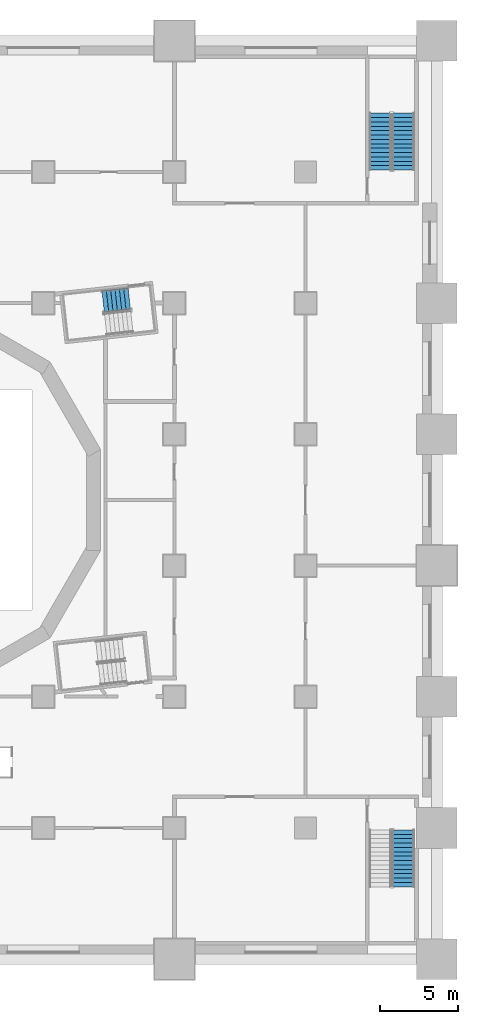
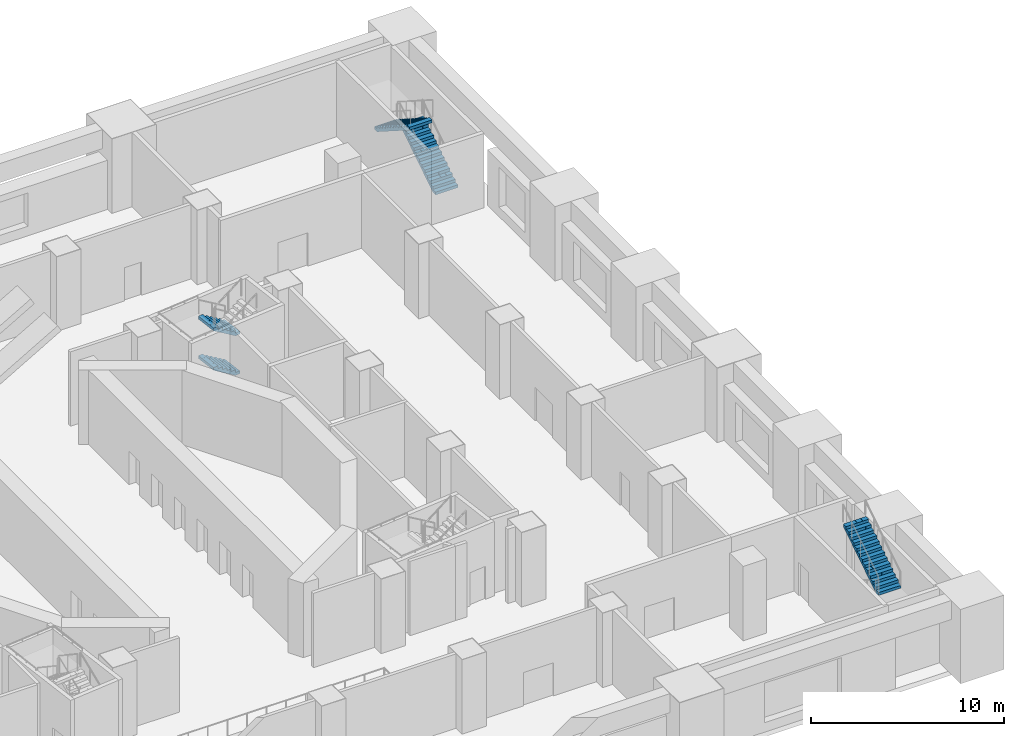
# One storey, part 8 of 19: 5 stair flights, 3 elements without a shape of their own.
"""IFC4 building model written with IfcOpenShell, lengths in metres."""

from ifc_helpers import new_model, si_unit, direction, frame, origin, place, context, subcontext, project, spatial, polyline, outline, extrude, material, type_object, element, aggregate, save


model = new_model("IFC4")

# Units and contexts
model_context = context("Model", 3, precision=1e-05, world=origin(), true_north=direction((0.0, 1.0)))
body_context = subcontext(model_context, "Body", "Model", "MODEL_VIEW")
ifc_project = project(units=[si_unit("LENGTHUNIT", "METRE"), si_unit("AREAUNIT", "SQUARE_METRE"), si_unit("VOLUMEUNIT", "CUBIC_METRE"), si_unit("PLANEANGLEUNIT", "RADIAN"), si_unit("MASSUNIT", "GRAM", prefix="KILO")], contexts=[model_context])

# Site, building, storey
site_placement = place(None, origin())
site = spatial("IfcSite", under=ifc_project, at=site_placement, CompositionType="ELEMENT")
building_placement = place(site_placement, origin())
building = spatial("IfcBuilding", under=site, at=building_placement, Name="Cantera Rosa Tower", CompositionType="ELEMENT")
storey_placement = place(building_placement, frame((0.0, 0.0, 12.0)))
storey = spatial("IfcBuildingStorey", under=building, at=storey_placement, Name="L01", CompositionType="ELEMENT", Elevation=12.0)

# Stair, stair flights
ifc_material_1 = material(Name="Concrete C35/45", Category="concrete")
stair_type_1 = type_object("IfcStairType", Name="EXIT STAIR 1350 DOGLEG", PredefinedType="HALF_TURN_STAIR", material=ifc_material_1)
stair_1_placement = place(storey_placement, origin())
stair_1 = element("IfcStair", 1, at=stair_1_placement, inside=storey, type_object=stair_type_1, Name="L01 ST-11", PredefinedType="HALF_TURN_STAIR")
ifc_material_2 = material(Name="Concrete C35/45", Category="concrete")
stair_flight_type_1 = type_object("IfcStairFlightType", Name="STAIR FLIGHT 1350 R28x179", PredefinedType="STRAIGHT", material=ifc_material_2)
stair_flight_1_placement = place(storey_placement, frame((13.90869140625, 12.89990234375, 0.0), z_axis=(0.0, 0.0, 1.0), x_axis=(-0.993896947056, -0.110312549749, 0.0)))
stair_flight_1 = element("IfcStairFlight", 2, at=stair_flight_1_placement, type_object=stair_flight_type_1, Name="ST-11 flight 1", NumberOfRisers=7, NumberOfTreads=6, PredefinedType="STRAIGHT", RiserHeight=0.178571429, TreadLength=0.28, context=body_context, shape_type="SweptSolid", body=[
    extrude(outline(polyline([(0.0, 0.0), (0.0, 0.178466796875), (0.280029296875, 0.178466796875), (0.280029296875, 0.357177734375), (0.56005859375, 0.357177734375), (0.56005859375, 0.53564453125), (0.840087890625, 0.53564453125), (0.840087890625, 0.71435546875), (1.1201171875, 0.71435546875), (1.1201171875, 0.892822265625), (1.39990234375, 0.892822265625), (1.39990234375, 1.071533203125), (1.679931640625, 1.071533203125), (1.679931640625, 1.25), (1.679931640625, 0.8935546875), (0.27880859375, 0.0), (0.0, 0.0)])), frame((0.0, 0.675048828125, 0.0), z_axis=(0.0, -1.0, 0.0), x_axis=(1.0, 0.0, 0.0)), (0.0, 0.0, 1.0), 0.3359375),
    extrude(outline(polyline([(0.0, 0.0), (0.0, 0.178466796875), (0.280029296875, 0.178466796875), (0.280029296875, 0.357177734375), (0.56005859375, 0.357177734375), (0.56005859375, 0.53564453125), (0.840087890625, 0.53564453125), (0.840087890625, 0.71435546875), (1.1201171875, 0.71435546875), (1.1201171875, 0.892822265625), (1.39990234375, 0.892822265625), (1.39990234375, 1.071533203125), (1.679931640625, 1.071533203125), (1.679931640625, 1.25), (1.679931640625, 0.8935546875), (0.27880859375, 0.0), (0.0, 0.0)])), frame((0.0, 0.337158203125, 0.0), z_axis=(0.0, -1.0, 0.0), x_axis=(1.0, 0.0, 0.0)), (0.0, 0.0, 1.0), 0.3359375),
    extrude(outline(polyline([(0.0, 0.0), (0.0, 0.178466796875), (0.280029296875, 0.178466796875), (0.280029296875, 0.357177734375), (0.56005859375, 0.357177734375), (0.56005859375, 0.53564453125), (0.840087890625, 0.53564453125), (0.840087890625, 0.71435546875), (1.1201171875, 0.71435546875), (1.1201171875, 0.892822265625), (1.39990234375, 0.892822265625), (1.39990234375, 1.071533203125), (1.679931640625, 1.071533203125), (1.679931640625, 1.25), (1.679931640625, 0.8935546875), (0.27880859375, 0.0), (0.0, 0.0)])), frame((0.0, -0.000732421875, 0.0), z_axis=(0.0, -1.0, 0.0), x_axis=(1.0, 0.0, 0.0)), (0.0, 0.0, 1.0), 0.3359375),
    extrude(outline(polyline([(0.0, 0.0), (0.0, 0.178466796875), (0.280029296875, 0.178466796875), (0.280029296875, 0.357177734375), (0.56005859375, 0.357177734375), (0.56005859375, 0.53564453125), (0.840087890625, 0.53564453125), (0.840087890625, 0.71435546875), (1.1201171875, 0.71435546875), (1.1201171875, 0.892822265625), (1.39990234375, 0.892822265625), (1.39990234375, 1.071533203125), (1.679931640625, 1.071533203125), (1.679931640625, 1.25), (1.679931640625, 0.8935546875), (0.27880859375, 0.0), (0.0, 0.0)])), frame((0.0, -0.338623046875, 0.0), z_axis=(0.0, -1.0, 0.0), x_axis=(1.0, 0.0, 0.0)), (0.0, 0.0, 1.0), 0.3359375),
])
stair_flight_2_placement = place(storey_placement, frame((13.90869140625, 12.89990234375, 2.5), z_axis=(0.0, 0.0, 1.0), x_axis=(-0.993896947056, -0.110312549749, 0.0)))
stair_flight_2 = element("IfcStairFlight", 3, at=stair_flight_2_placement, type_object=stair_flight_type_1, Name="ST-11 flight 3", NumberOfRisers=7, NumberOfTreads=6, PredefinedType="STRAIGHT", RiserHeight=0.178571429, TreadLength=0.28, context=body_context, shape_type="SweptSolid", body=[
    extrude(outline(polyline([(0.0, 0.0), (0.0, 0.178466796875), (0.280029296875, 0.178466796875), (0.280029296875, 0.357177734375), (0.56005859375, 0.357177734375), (0.56005859375, 0.53564453125), (0.840087890625, 0.53564453125), (0.840087890625, 0.71435546875), (1.1201171875, 0.71435546875), (1.1201171875, 0.892822265625), (1.39990234375, 0.892822265625), (1.39990234375, 1.071533203125), (1.679931640625, 1.071533203125), (1.679931640625, 1.25), (1.679931640625, 0.8935546875), (0.27880859375, 0.0), (0.0, 0.0)])), frame((0.0, 0.675048828125, 0.0), z_axis=(0.0, -1.0, 0.0), x_axis=(1.0, 0.0, 0.0)), (0.0, 0.0, 1.0), 0.3359375),
    extrude(outline(polyline([(0.0, 0.0), (0.0, 0.178466796875), (0.280029296875, 0.178466796875), (0.280029296875, 0.357177734375), (0.56005859375, 0.357177734375), (0.56005859375, 0.53564453125), (0.840087890625, 0.53564453125), (0.840087890625, 0.71435546875), (1.1201171875, 0.71435546875), (1.1201171875, 0.892822265625), (1.39990234375, 0.892822265625), (1.39990234375, 1.071533203125), (1.679931640625, 1.071533203125), (1.679931640625, 1.25), (1.679931640625, 0.8935546875), (0.27880859375, 0.0), (0.0, 0.0)])), frame((0.0, 0.337158203125, 0.0), z_axis=(0.0, -1.0, 0.0), x_axis=(1.0, 0.0, 0.0)), (0.0, 0.0, 1.0), 0.3359375),
    extrude(outline(polyline([(0.0, 0.0), (0.0, 0.178466796875), (0.280029296875, 0.178466796875), (0.280029296875, 0.357177734375), (0.56005859375, 0.357177734375), (0.56005859375, 0.53564453125), (0.840087890625, 0.53564453125), (0.840087890625, 0.71435546875), (1.1201171875, 0.71435546875), (1.1201171875, 0.892822265625), (1.39990234375, 0.892822265625), (1.39990234375, 1.071533203125), (1.679931640625, 1.071533203125), (1.679931640625, 1.25), (1.679931640625, 0.8935546875), (0.27880859375, 0.0), (0.0, 0.0)])), frame((0.0, -0.000732421875, 0.0), z_axis=(0.0, -1.0, 0.0), x_axis=(1.0, 0.0, 0.0)), (0.0, 0.0, 1.0), 0.3359375),
    extrude(outline(polyline([(0.0, 0.0), (0.0, 0.178466796875), (0.280029296875, 0.178466796875), (0.280029296875, 0.357177734375), (0.56005859375, 0.357177734375), (0.56005859375, 0.53564453125), (0.840087890625, 0.53564453125), (0.840087890625, 0.71435546875), (1.1201171875, 0.71435546875), (1.1201171875, 0.892822265625), (1.39990234375, 0.892822265625), (1.39990234375, 1.071533203125), (1.679931640625, 1.071533203125), (1.679931640625, 1.25), (1.679931640625, 0.8935546875), (0.27880859375, 0.0), (0.0, 0.0)])), frame((0.0, -0.338623046875, 0.0), z_axis=(0.0, -1.0, 0.0), x_axis=(1.0, 0.0, 0.0)), (0.0, 0.0, 1.0), 0.3359375),
])
aggregate(stair_1, [stair_flight_1, stair_flight_2])

ifc_material_3 = material(Name="Concrete C35/45", Category="concrete")
stair_type_2 = type_object("IfcStairType", Name="Stair half-turn 1350", PredefinedType="HALF_TURN_STAIR", material=ifc_material_3)
stair_2_placement = place(storey_placement, origin())
stair_2 = element("IfcStair", 4, at=stair_2_placement, inside=storey, type_object=stair_type_2, Name="L01 ST-NE", PredefinedType="HALF_TURN_STAIR")
ifc_material_4 = material(Name="Concrete C35/45", Category="concrete")
stair_flight_type_2 = type_object("IfcStairFlightType", Name="Stair flight 1350", PredefinedType="STRAIGHT", material=ifc_material_4)
stair_flight_3_placement = place(storey_placement, frame((31.5, 21.125, 0.0), z_axis=(0.0, 0.0, 1.0), x_axis=(0.0, 1.0, 0.0)))
stair_flight_3 = element("IfcStairFlight", 5, at=stair_flight_3_placement, type_object=stair_flight_type_2, Name="ST-NE flight 1", NumberOfRisers=14, NumberOfTreads=13, PredefinedType="STRAIGHT", RiserHeight=0.178571429, TreadLength=0.28, context=body_context, shape_type="SweptSolid", body=[
    extrude(outline(polyline([(0.0, 0.0), (0.0, 0.178466796875), (0.280029296875, 0.178466796875), (0.280029296875, 0.357177734375), (0.56005859375, 0.357177734375), (0.56005859375, 0.53564453125), (0.840087890625, 0.53564453125), (0.840087890625, 0.71435546875), (1.1201171875, 0.71435546875), (1.1201171875, 0.892822265625), (1.39990234375, 0.892822265625), (1.39990234375, 1.071533203125), (1.679931640625, 1.071533203125), (1.679931640625, 1.25), (1.9599609375, 1.25), (1.9599609375, 1.428466796875), (2.239990234375, 1.428466796875), (2.239990234375, 1.607177734375), (2.52001953125, 1.607177734375), (2.52001953125, 1.78564453125), (2.800048828125, 1.78564453125), (2.800048828125, 1.96435546875), (3.080078125, 1.96435546875), (3.080078125, 2.142822265625), (3.360107421875, 2.142822265625), (3.360107421875, 2.321533203125), (3.639892578125, 2.321533203125), (3.639892578125, 2.5), (3.639892578125, 2.1435546875), (0.27880859375, 0.0), (0.0, 0.0)])), frame((0.0, 0.675048828125, 0.0), z_axis=(0.0, -1.0, 0.0), x_axis=(1.0, 0.0, 0.0)), (0.0, 0.0, 1.0), 0.3359375),
    extrude(outline(polyline([(0.0, 0.0), (0.0, 0.178466796875), (0.280029296875, 0.178466796875), (0.280029296875, 0.357177734375), (0.56005859375, 0.357177734375), (0.56005859375, 0.53564453125), (0.840087890625, 0.53564453125), (0.840087890625, 0.71435546875), (1.1201171875, 0.71435546875), (1.1201171875, 0.892822265625), (1.39990234375, 0.892822265625), (1.39990234375, 1.071533203125), (1.679931640625, 1.071533203125), (1.679931640625, 1.25), (1.9599609375, 1.25), (1.9599609375, 1.428466796875), (2.239990234375, 1.428466796875), (2.239990234375, 1.607177734375), (2.52001953125, 1.607177734375), (2.52001953125, 1.78564453125), (2.800048828125, 1.78564453125), (2.800048828125, 1.96435546875), (3.080078125, 1.96435546875), (3.080078125, 2.142822265625), (3.360107421875, 2.142822265625), (3.360107421875, 2.321533203125), (3.639892578125, 2.321533203125), (3.639892578125, 2.5), (3.639892578125, 2.1435546875), (0.27880859375, 0.0), (0.0, 0.0)])), frame((0.0, 0.337158203125, 0.0), z_axis=(0.0, -1.0, 0.0), x_axis=(1.0, 0.0, 0.0)), (0.0, 0.0, 1.0), 0.3359375),
    extrude(outline(polyline([(0.0, 0.0), (0.0, 0.178466796875), (0.280029296875, 0.178466796875), (0.280029296875, 0.357177734375), (0.56005859375, 0.357177734375), (0.56005859375, 0.53564453125), (0.840087890625, 0.53564453125), (0.840087890625, 0.71435546875), (1.1201171875, 0.71435546875), (1.1201171875, 0.892822265625), (1.39990234375, 0.892822265625), (1.39990234375, 1.071533203125), (1.679931640625, 1.071533203125), (1.679931640625, 1.25), (1.9599609375, 1.25), (1.9599609375, 1.428466796875), (2.239990234375, 1.428466796875), (2.239990234375, 1.607177734375), (2.52001953125, 1.607177734375), (2.52001953125, 1.78564453125), (2.800048828125, 1.78564453125), (2.800048828125, 1.96435546875), (3.080078125, 1.96435546875), (3.080078125, 2.142822265625), (3.360107421875, 2.142822265625), (3.360107421875, 2.321533203125), (3.639892578125, 2.321533203125), (3.639892578125, 2.5), (3.639892578125, 2.1435546875), (0.27880859375, 0.0), (0.0, 0.0)])), frame((0.0, -0.000732421875, 0.0), z_axis=(0.0, -1.0, 0.0), x_axis=(1.0, 0.0, 0.0)), (0.0, 0.0, 1.0), 0.3359375),
    extrude(outline(polyline([(0.0, 0.0), (0.0, 0.178466796875), (0.280029296875, 0.178466796875), (0.280029296875, 0.357177734375), (0.56005859375, 0.357177734375), (0.56005859375, 0.53564453125), (0.840087890625, 0.53564453125), (0.840087890625, 0.71435546875), (1.1201171875, 0.71435546875), (1.1201171875, 0.892822265625), (1.39990234375, 0.892822265625), (1.39990234375, 1.071533203125), (1.679931640625, 1.071533203125), (1.679931640625, 1.25), (1.9599609375, 1.25), (1.9599609375, 1.428466796875), (2.239990234375, 1.428466796875), (2.239990234375, 1.607177734375), (2.52001953125, 1.607177734375), (2.52001953125, 1.78564453125), (2.800048828125, 1.78564453125), (2.800048828125, 1.96435546875), (3.080078125, 1.96435546875), (3.080078125, 2.142822265625), (3.360107421875, 2.142822265625), (3.360107421875, 2.321533203125), (3.639892578125, 2.321533203125), (3.639892578125, 2.5), (3.639892578125, 2.1435546875), (0.27880859375, 0.0), (0.0, 0.0)])), frame((0.0, -0.338623046875, 0.0), z_axis=(0.0, -1.0, 0.0), x_axis=(1.0, 0.0, 0.0)), (0.0, 0.0, 1.0), 0.3359375),
])
stair_flight_4_placement = place(storey_placement, frame((29.949951171875, 24.764892578125, 2.5), z_axis=(0.0, 0.0, 1.0), x_axis=(0.0, -1.0, 0.0)))
stair_flight_4 = element("IfcStairFlight", 6, at=stair_flight_4_placement, type_object=stair_flight_type_2, Name="ST-NE flight 2", NumberOfRisers=14, NumberOfTreads=13, PredefinedType="STRAIGHT", RiserHeight=0.178571429, TreadLength=0.28, context=body_context, shape_type="SweptSolid", body=[
    extrude(outline(polyline([(0.0, 0.0), (0.0, 0.178466796875), (0.280029296875, 0.178466796875), (0.280029296875, 0.357177734375), (0.56005859375, 0.357177734375), (0.56005859375, 0.53564453125), (0.840087890625, 0.53564453125), (0.840087890625, 0.71435546875), (1.1201171875, 0.71435546875), (1.1201171875, 0.892822265625), (1.39990234375, 0.892822265625), (1.39990234375, 1.071533203125), (1.679931640625, 1.071533203125), (1.679931640625, 1.25), (1.9599609375, 1.25), (1.9599609375, 1.428466796875), (2.239990234375, 1.428466796875), (2.239990234375, 1.607177734375), (2.52001953125, 1.607177734375), (2.52001953125, 1.78564453125), (2.800048828125, 1.78564453125), (2.800048828125, 1.96435546875), (3.080078125, 1.96435546875), (3.080078125, 2.142822265625), (3.360107421875, 2.142822265625), (3.360107421875, 2.321533203125), (3.639892578125, 2.321533203125), (3.639892578125, 2.5), (3.639892578125, 2.1435546875), (0.27880859375, 0.0), (0.0, 0.0)])), frame((0.0, 0.675048828125, 0.0), z_axis=(0.0, -1.0, 0.0), x_axis=(1.0, 0.0, 0.0)), (0.0, 0.0, 1.0), 0.3359375),
    extrude(outline(polyline([(0.0, 0.0), (0.0, 0.178466796875), (0.280029296875, 0.178466796875), (0.280029296875, 0.357177734375), (0.56005859375, 0.357177734375), (0.56005859375, 0.53564453125), (0.840087890625, 0.53564453125), (0.840087890625, 0.71435546875), (1.1201171875, 0.71435546875), (1.1201171875, 0.892822265625), (1.39990234375, 0.892822265625), (1.39990234375, 1.071533203125), (1.679931640625, 1.071533203125), (1.679931640625, 1.25), (1.9599609375, 1.25), (1.9599609375, 1.428466796875), (2.239990234375, 1.428466796875), (2.239990234375, 1.607177734375), (2.52001953125, 1.607177734375), (2.52001953125, 1.78564453125), (2.800048828125, 1.78564453125), (2.800048828125, 1.96435546875), (3.080078125, 1.96435546875), (3.080078125, 2.142822265625), (3.360107421875, 2.142822265625), (3.360107421875, 2.321533203125), (3.639892578125, 2.321533203125), (3.639892578125, 2.5), (3.639892578125, 2.1435546875), (0.27880859375, 0.0), (0.0, 0.0)])), frame((0.0, 0.337158203125, 0.0), z_axis=(0.0, -1.0, 0.0), x_axis=(1.0, 0.0, 0.0)), (0.0, 0.0, 1.0), 0.3359375),
    extrude(outline(polyline([(0.0, 0.0), (0.0, 0.178466796875), (0.280029296875, 0.178466796875), (0.280029296875, 0.357177734375), (0.56005859375, 0.357177734375), (0.56005859375, 0.53564453125), (0.840087890625, 0.53564453125), (0.840087890625, 0.71435546875), (1.1201171875, 0.71435546875), (1.1201171875, 0.892822265625), (1.39990234375, 0.892822265625), (1.39990234375, 1.071533203125), (1.679931640625, 1.071533203125), (1.679931640625, 1.25), (1.9599609375, 1.25), (1.9599609375, 1.428466796875), (2.239990234375, 1.428466796875), (2.239990234375, 1.607177734375), (2.52001953125, 1.607177734375), (2.52001953125, 1.78564453125), (2.800048828125, 1.78564453125), (2.800048828125, 1.96435546875), (3.080078125, 1.96435546875), (3.080078125, 2.142822265625), (3.360107421875, 2.142822265625), (3.360107421875, 2.321533203125), (3.639892578125, 2.321533203125), (3.639892578125, 2.5), (3.639892578125, 2.1435546875), (0.27880859375, 0.0), (0.0, 0.0)])), frame((0.0, -0.000732421875, 0.0), z_axis=(0.0, -1.0, 0.0), x_axis=(1.0, 0.0, 0.0)), (0.0, 0.0, 1.0), 0.3359375),
    extrude(outline(polyline([(0.0, 0.0), (0.0, 0.178466796875), (0.280029296875, 0.178466796875), (0.280029296875, 0.357177734375), (0.56005859375, 0.357177734375), (0.56005859375, 0.53564453125), (0.840087890625, 0.53564453125), (0.840087890625, 0.71435546875), (1.1201171875, 0.71435546875), (1.1201171875, 0.892822265625), (1.39990234375, 0.892822265625), (1.39990234375, 1.071533203125), (1.679931640625, 1.071533203125), (1.679931640625, 1.25), (1.9599609375, 1.25), (1.9599609375, 1.428466796875), (2.239990234375, 1.428466796875), (2.239990234375, 1.607177734375), (2.52001953125, 1.607177734375), (2.52001953125, 1.78564453125), (2.800048828125, 1.78564453125), (2.800048828125, 1.96435546875), (3.080078125, 1.96435546875), (3.080078125, 2.142822265625), (3.360107421875, 2.142822265625), (3.360107421875, 2.321533203125), (3.639892578125, 2.321533203125), (3.639892578125, 2.5), (3.639892578125, 2.1435546875), (0.27880859375, 0.0), (0.0, 0.0)])), frame((0.0, -0.338623046875, 0.0), z_axis=(0.0, -1.0, 0.0), x_axis=(1.0, 0.0, 0.0)), (0.0, 0.0, 1.0), 0.3359375),
])
aggregate(stair_2, [stair_flight_3, stair_flight_4])

# Stair, stair flight
stair_3_placement = place(storey_placement, origin())
stair_3 = element("IfcStair", 7, at=stair_3_placement, inside=storey, type_object=stair_type_2, Name="L01 ST-SE", PredefinedType="HALF_TURN_STAIR")
stair_flight_5_placement = place(storey_placement, frame((31.5, -24.764892578125, 2.5), z_axis=(0.0, 0.0, 1.0), x_axis=(0.0, 1.0, 0.0)))
stair_flight_5 = element("IfcStairFlight", 8, at=stair_flight_5_placement, type_object=stair_flight_type_2, Name="ST-SE flight 2", NumberOfRisers=14, NumberOfTreads=13, PredefinedType="STRAIGHT", RiserHeight=0.178571429, TreadLength=0.28, context=body_context, shape_type="SweptSolid", body=[
    extrude(outline(polyline([(0.0, 0.0), (0.0, 0.178466796875), (0.280029296875, 0.178466796875), (0.280029296875, 0.357177734375), (0.56005859375, 0.357177734375), (0.56005859375, 0.53564453125), (0.840087890625, 0.53564453125), (0.840087890625, 0.71435546875), (1.1201171875, 0.71435546875), (1.1201171875, 0.892822265625), (1.39990234375, 0.892822265625), (1.39990234375, 1.071533203125), (1.679931640625, 1.071533203125), (1.679931640625, 1.25), (1.9599609375, 1.25), (1.9599609375, 1.428466796875), (2.239990234375, 1.428466796875), (2.239990234375, 1.607177734375), (2.52001953125, 1.607177734375), (2.52001953125, 1.78564453125), (2.800048828125, 1.78564453125), (2.800048828125, 1.96435546875), (3.080078125, 1.96435546875), (3.080078125, 2.142822265625), (3.360107421875, 2.142822265625), (3.360107421875, 2.321533203125), (3.639892578125, 2.321533203125), (3.639892578125, 2.5), (3.639892578125, 2.1435546875), (0.27880859375, 0.0), (0.0, 0.0)])), frame((0.0, 0.675048828125, 0.0), z_axis=(0.0, -1.0, 0.0), x_axis=(1.0, 0.0, 0.0)), (0.0, 0.0, 1.0), 0.3359375),
    extrude(outline(polyline([(0.0, 0.0), (0.0, 0.178466796875), (0.280029296875, 0.178466796875), (0.280029296875, 0.357177734375), (0.56005859375, 0.357177734375), (0.56005859375, 0.53564453125), (0.840087890625, 0.53564453125), (0.840087890625, 0.71435546875), (1.1201171875, 0.71435546875), (1.1201171875, 0.892822265625), (1.39990234375, 0.892822265625), (1.39990234375, 1.071533203125), (1.679931640625, 1.071533203125), (1.679931640625, 1.25), (1.9599609375, 1.25), (1.9599609375, 1.428466796875), (2.239990234375, 1.428466796875), (2.239990234375, 1.607177734375), (2.52001953125, 1.607177734375), (2.52001953125, 1.78564453125), (2.800048828125, 1.78564453125), (2.800048828125, 1.96435546875), (3.080078125, 1.96435546875), (3.080078125, 2.142822265625), (3.360107421875, 2.142822265625), (3.360107421875, 2.321533203125), (3.639892578125, 2.321533203125), (3.639892578125, 2.5), (3.639892578125, 2.1435546875), (0.27880859375, 0.0), (0.0, 0.0)])), frame((0.0, 0.337158203125, 0.0), z_axis=(0.0, -1.0, 0.0), x_axis=(1.0, 0.0, 0.0)), (0.0, 0.0, 1.0), 0.3359375),
    extrude(outline(polyline([(0.0, 0.0), (0.0, 0.178466796875), (0.280029296875, 0.178466796875), (0.280029296875, 0.357177734375), (0.56005859375, 0.357177734375), (0.56005859375, 0.53564453125), (0.840087890625, 0.53564453125), (0.840087890625, 0.71435546875), (1.1201171875, 0.71435546875), (1.1201171875, 0.892822265625), (1.39990234375, 0.892822265625), (1.39990234375, 1.071533203125), (1.679931640625, 1.071533203125), (1.679931640625, 1.25), (1.9599609375, 1.25), (1.9599609375, 1.428466796875), (2.239990234375, 1.428466796875), (2.239990234375, 1.607177734375), (2.52001953125, 1.607177734375), (2.52001953125, 1.78564453125), (2.800048828125, 1.78564453125), (2.800048828125, 1.96435546875), (3.080078125, 1.96435546875), (3.080078125, 2.142822265625), (3.360107421875, 2.142822265625), (3.360107421875, 2.321533203125), (3.639892578125, 2.321533203125), (3.639892578125, 2.5), (3.639892578125, 2.1435546875), (0.27880859375, 0.0), (0.0, 0.0)])), frame((0.0, -0.000732421875, 0.0), z_axis=(0.0, -1.0, 0.0), x_axis=(1.0, 0.0, 0.0)), (0.0, 0.0, 1.0), 0.3359375),
    extrude(outline(polyline([(0.0, 0.0), (0.0, 0.178466796875), (0.280029296875, 0.178466796875), (0.280029296875, 0.357177734375), (0.56005859375, 0.357177734375), (0.56005859375, 0.53564453125), (0.840087890625, 0.53564453125), (0.840087890625, 0.71435546875), (1.1201171875, 0.71435546875), (1.1201171875, 0.892822265625), (1.39990234375, 0.892822265625), (1.39990234375, 1.071533203125), (1.679931640625, 1.071533203125), (1.679931640625, 1.25), (1.9599609375, 1.25), (1.9599609375, 1.428466796875), (2.239990234375, 1.428466796875), (2.239990234375, 1.607177734375), (2.52001953125, 1.607177734375), (2.52001953125, 1.78564453125), (2.800048828125, 1.78564453125), (2.800048828125, 1.96435546875), (3.080078125, 1.96435546875), (3.080078125, 2.142822265625), (3.360107421875, 2.142822265625), (3.360107421875, 2.321533203125), (3.639892578125, 2.321533203125), (3.639892578125, 2.5), (3.639892578125, 2.1435546875), (0.27880859375, 0.0), (0.0, 0.0)])), frame((0.0, -0.338623046875, 0.0), z_axis=(0.0, -1.0, 0.0), x_axis=(1.0, 0.0, 0.0)), (0.0, 0.0, 1.0), 0.3359375),
])
aggregate(stair_3, [stair_flight_5])

save(model, "model.ifc")
